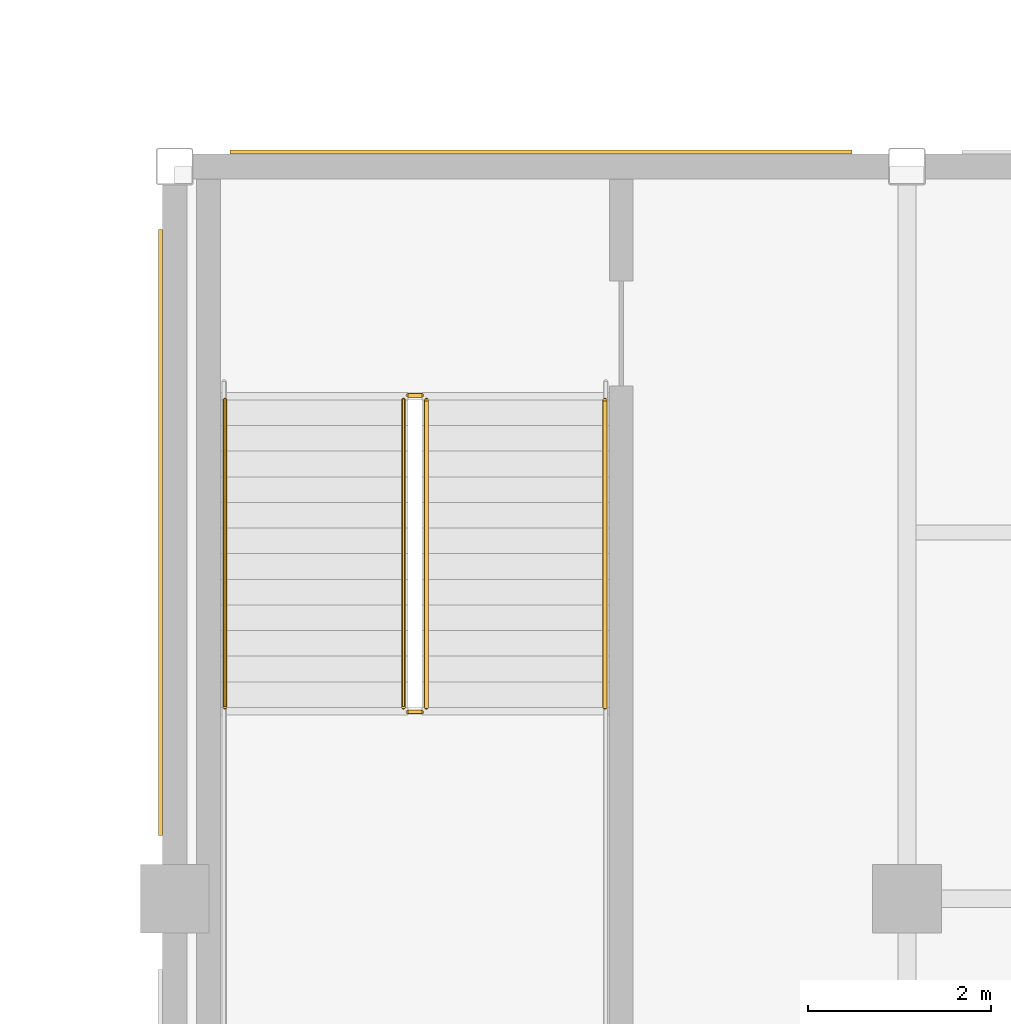
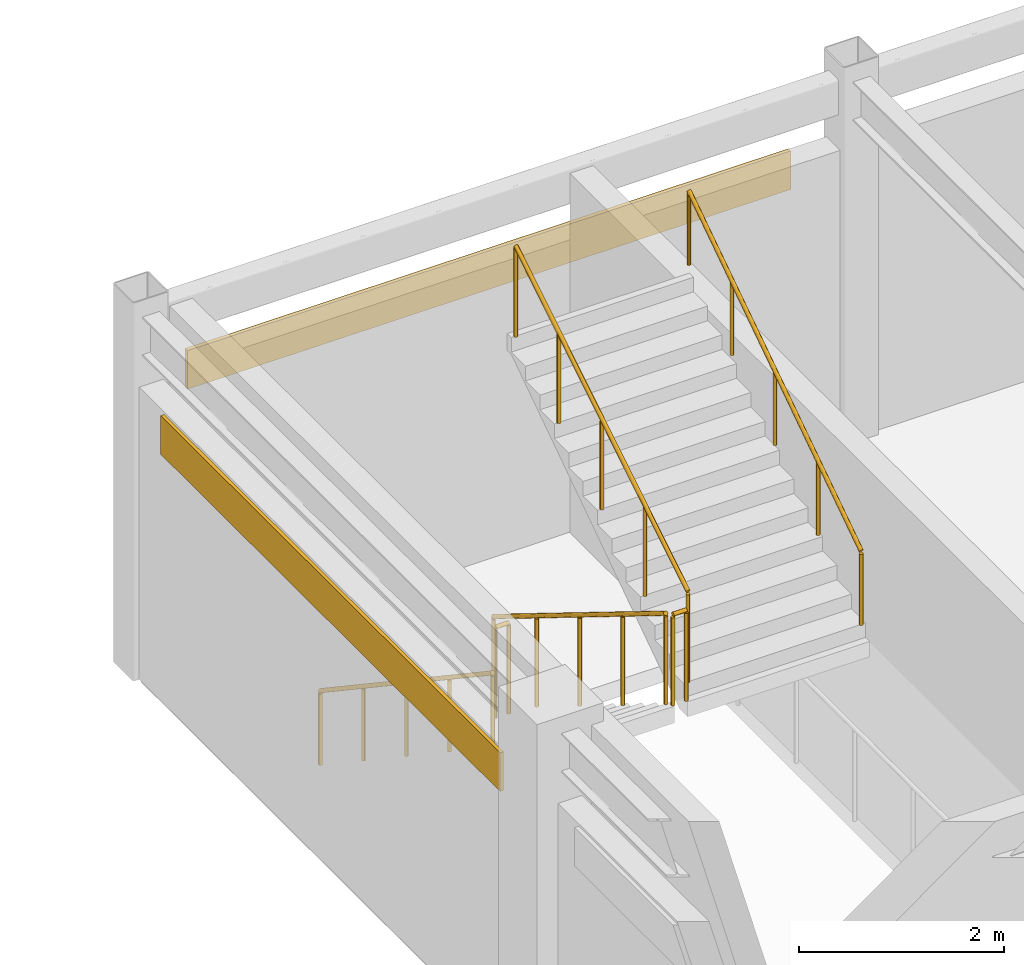
# One storey, part 40 of 42: 6 railings, 2 coverings.
"""IFC4 building model written with IfcOpenShell, lengths in metres."""

from ifc_helpers import new_model, si_unit, direction, frame, origin, origin_2d, place, context, subcontext, project, spatial, rectangle, circle, extrude, material, layer, layer_set, type_object, element, save


model = new_model("IFC4")

# Units and contexts
model_context = context("Model", 3, precision=1e-05, world=origin(), true_north=direction((0.0, 1.0)))
body_context = subcontext(model_context, "Body", "Model", "MODEL_VIEW")
ifc_project = project(units=[si_unit("LENGTHUNIT", "METRE"), si_unit("AREAUNIT", "SQUARE_METRE"), si_unit("VOLUMEUNIT", "CUBIC_METRE"), si_unit("PLANEANGLEUNIT", "RADIAN"), si_unit("MASSUNIT", "GRAM", prefix="KILO")], contexts=[model_context])

# Site, building, storey
site_placement = place(None, origin())
site = spatial("IfcSite", under=ifc_project, at=site_placement, CompositionType="ELEMENT")
building_placement = place(site_placement, origin())
building = spatial("IfcBuilding", under=site, at=building_placement, Name="Solmirada Galleria", CompositionType="ELEMENT")
storey_placement = place(building_placement, frame((0.0, 0.0, 28.39990234375)))
storey = spatial("IfcBuildingStorey", under=building, at=storey_placement, Name="L06", CompositionType="ELEMENT", Elevation=28.39990234375)

# Coverings
ifc_material_1 = material(Name="Limestone cladding panels", Category="masonry")
ifc_layer_1 = layer(ifc_material_1, 0.044921875)
ifc_layer_set_1 = layer_set([ifc_layer_1], Name="Limestone cladding panels")
covering_type_1 = type_object("IfcCoveringType", Name="COV-CLAD-LIME", PredefinedType="CLADDING", material=ifc_layer_set_1)
covering_1_placement = place(storey_placement, frame((132.0, 120.157470703125, 2.990234375), z_axis=(0.0, 0.0, 1.0), x_axis=(1.0, 0.0, 0.0)))
element("IfcCovering", 1, at=covering_1_placement, inside=storey, type_object=covering_type_1, Name="Postmodern facade cladding L06-409", PredefinedType="CLADDING", context=body_context, shape_type="SweptSolid", body=[
    extrude(rectangle(XDim=6.7939453125, YDim=0.044921875, at=origin_2d()), origin(), (0.0, 0.0, 1.0), 0.4599609375),
])
ifc_material_2 = material(Name="Glazed terracotta facade panels", Category="masonry")
ifc_layer_2 = layer(ifc_material_2, 0.0400390625)
ifc_layer_set_2 = layer_set([ifc_layer_2], Name="Glazed terracotta facade panels")
covering_type_2 = type_object("IfcCoveringType", Name="COV-CLAD-TERRA", PredefinedType="CLADDING", material=ifc_layer_set_2)
covering_2_placement = place(storey_placement, frame((127.844970703125, 116.0, 2.990234375), z_axis=(0.0, 0.0, 1.0), x_axis=(0.0, 1.0, 0.0)))
element("IfcCovering", 2, at=covering_2_placement, inside=storey, type_object=covering_type_2, Name="Postmodern facade cladding L06-408", PredefinedType="CLADDING", context=body_context, shape_type="SweptSolid", body=[
    extrude(rectangle(XDim=6.6220703125, YDim=0.0400390625, at=origin_2d()), origin(), (0.0, 0.0, 1.0), 0.4599609375),
])

# Railings
ifc_material_3 = material(Name="Painted steel tubular railing", Category="steel")
railing_type_1 = type_object("IfcRailingType", Name="RAIL-STAIR-GUARD", PredefinedType="GUARDRAIL", material=ifc_material_3)
railing_1_placement = place(storey_placement, frame((130.5, 117.449951171875, 0.173095703125)))
element("IfcRailing", 3, at=railing_1_placement, inside=storey, type_object=railing_type_1, Name="L06 ST3 stair guard 1", PredefinedType="GUARDRAIL", context=body_context, shape_type="SweptSolid", body=[
    extrude(circle(Radius=0.02392578125, at=origin_2d()), frame((0.0, 0.0, 1.076171875), z_axis=(0.0, -0.850606129759, 0.525803396734), x_axis=(1.0, 0.0, 0.0)), (0.0, 0.0, 1.0), 3.949951171875),
    extrude(circle(Radius=0.02099609375, at=origin_2d()), origin(), (0.0, 0.0, 1.0), 1.048095703125),
    extrude(circle(Radius=0.02099609375, at=origin_2d()), frame((0.0, -0.83984375, 0.519287109375)), (0.0, 0.0, 1.0), 1.048095703125),
    extrude(circle(Radius=0.02099609375, at=origin_2d()), frame((0.0, -1.679931640625, 1.03857421875)), (0.0, 0.0, 1.0), 1.048095703125),
    extrude(circle(Radius=0.02099609375, at=origin_2d()), frame((0.0, -2.52001953125, 1.5576171875)), (0.0, 0.0, 1.0), 1.048095703125),
    extrude(circle(Radius=0.02099609375, at=origin_2d()), frame((0.0, -3.35986328125, 2.076904296875)), (0.0, 0.0, 1.0), 1.048095703125),
])
railing_2_placement = place(storey_placement, frame((130.550048828125, 114.0400390625, 2.25)))
element("IfcRailing", 4, at=railing_2_placement, inside=storey, type_object=railing_type_1, Name="L06 ST3 stair guard 2", PredefinedType="GUARDRAIL", context=body_context, shape_type="SweptSolid", body=[
    extrude(circle(Radius=0.02392578125, at=origin_2d()), frame((0.0, 0.0, 1.076171875), z_axis=(1.0, 0.0, 0.0), x_axis=(0.0, 1.0, 0.0)), (0.0, 0.0, 1.0), 0.14990234375),
    extrude(circle(Radius=0.02099609375, at=origin_2d()), origin(), (0.0, 0.0, 1.0), 1.048095703125),
    extrude(circle(Radius=0.02099609375, at=origin_2d()), frame((0.14990234375, 0.0, 0.0)), (0.0, 0.0, 1.0), 1.048095703125),
])
railing_3_placement = place(storey_placement, frame((130.75, 114.090087890625, 2.423095703125)))
element("IfcRailing", 5, at=railing_3_placement, inside=storey, type_object=railing_type_1, Name="L06 ST3 stair guard 3", PredefinedType="GUARDRAIL", context=body_context, shape_type="SweptSolid", body=[
    extrude(circle(Radius=0.02392578125, at=origin_2d()), frame((0.0, 0.0, 1.076171875), z_axis=(0.0, 0.850606129759, 0.525803396734), x_axis=(-1.0, 0.0, 0.0)), (0.0, 0.0, 1.0), 3.949951171875),
    extrude(circle(Radius=0.02099609375, at=origin_2d()), origin(), (0.0, 0.0, 1.0), 1.048095703125),
    extrude(circle(Radius=0.02099609375, at=origin_2d()), frame((0.0, 0.83984375, 0.519287109375)), (0.0, 0.0, 1.0), 1.048095703125),
    extrude(circle(Radius=0.02099609375, at=origin_2d()), frame((0.0, 1.679931640625, 1.03857421875)), (0.0, 0.0, 1.0), 1.048095703125),
    extrude(circle(Radius=0.02099609375, at=origin_2d()), frame((0.0, 2.52001953125, 1.5576171875)), (0.0, 0.0, 1.0), 1.048095703125),
    extrude(circle(Radius=0.02099609375, at=origin_2d()), frame((0.0, 3.35986328125, 2.076904296875)), (0.0, 0.0, 1.0), 1.048095703125),
])
railing_4_placement = place(storey_placement, frame((130.550048828125, 117.5, 0.0)))
element("IfcRailing", 6, at=railing_4_placement, inside=storey, type_object=railing_type_1, Name="L06 ST3 stair guard 4", PredefinedType="GUARDRAIL", context=body_context, shape_type="SweptSolid", body=[
    extrude(circle(Radius=0.02392578125, at=origin_2d()), frame((0.0, 0.0, 1.076171875), z_axis=(1.0, 0.0, 0.0), x_axis=(0.0, 1.0, 0.0)), (0.0, 0.0, 1.0), 0.14990234375),
    extrude(circle(Radius=0.02099609375, at=origin_2d()), origin(), (0.0, 0.0, 1.0), 1.048095703125),
    extrude(circle(Radius=0.02099609375, at=origin_2d()), frame((0.14990234375, 0.0, 0.0)), (0.0, 0.0, 1.0), 1.048095703125),
])
railing_type_2 = type_object("IfcRailingType", Name="RAIL-STAIR-HAND", PredefinedType="HANDRAIL", material=ifc_material_3)
railing_5_placement = place(storey_placement, frame((128.550048828125, 117.449951171875, 0.173095703125)))
element("IfcRailing", 7, at=railing_5_placement, inside=storey, type_object=railing_type_2, Name="L06 ST3 stair handrail 1", PredefinedType="HANDRAIL", context=body_context, shape_type="SweptSolid", body=[
    extrude(circle(Radius=0.02392578125, at=origin_2d()), frame((0.0, 0.0, 0.8759765625), z_axis=(0.0, -0.830896709279, 0.556426687452), x_axis=(1.0, 0.0, 0.0)), (0.0, 0.0, 1.0), 4.043701171875),
    extrude(circle(Radius=0.02099609375, at=origin_2d()), origin(), (0.0, 0.0, 1.0), 0.847900390625),
    extrude(circle(Radius=0.02099609375, at=origin_2d()), frame((0.0, -0.83984375, 0.5625)), (0.0, 0.0, 1.0), 0.847900390625),
    extrude(circle(Radius=0.02099609375, at=origin_2d()), frame((0.0, -1.679931640625, 1.125)), (0.0, 0.0, 1.0), 0.847900390625),
    extrude(circle(Radius=0.02099609375, at=origin_2d()), frame((0.0, -2.52001953125, 1.6875)), (0.0, 0.0, 1.0), 0.847900390625),
    extrude(circle(Radius=0.02099609375, at=origin_2d()), frame((0.0, -3.35986328125, 2.25)), (0.0, 0.0, 1.0), 0.847900390625),
])
railing_6_placement = place(storey_placement, frame((132.699951171875, 114.090087890625, 2.423095703125)))
element("IfcRailing", 8, at=railing_6_placement, inside=storey, type_object=railing_type_2, Name="L06 ST3 stair handrail 2", PredefinedType="HANDRAIL", context=body_context, shape_type="SweptSolid", body=[
    extrude(circle(Radius=0.02392578125, at=origin_2d()), frame((0.0, 0.0, 0.8759765625), z_axis=(0.0, 0.830896709279, 0.556426687452), x_axis=(-1.0, 0.0, 0.0)), (0.0, 0.0, 1.0), 4.043701171875),
    extrude(circle(Radius=0.02099609375, at=origin_2d()), origin(), (0.0, 0.0, 1.0), 0.847900390625),
    extrude(circle(Radius=0.02099609375, at=origin_2d()), frame((0.0, 0.83984375, 0.5625)), (0.0, 0.0, 1.0), 0.847900390625),
    extrude(circle(Radius=0.02099609375, at=origin_2d()), frame((0.0, 1.679931640625, 1.125)), (0.0, 0.0, 1.0), 0.847900390625),
    extrude(circle(Radius=0.02099609375, at=origin_2d()), frame((0.0, 2.52001953125, 1.6875)), (0.0, 0.0, 1.0), 0.847900390625),
    extrude(circle(Radius=0.02099609375, at=origin_2d()), frame((0.0, 3.35986328125, 2.25)), (0.0, 0.0, 1.0), 0.847900390625),
])

save(model, "model.ifc")
